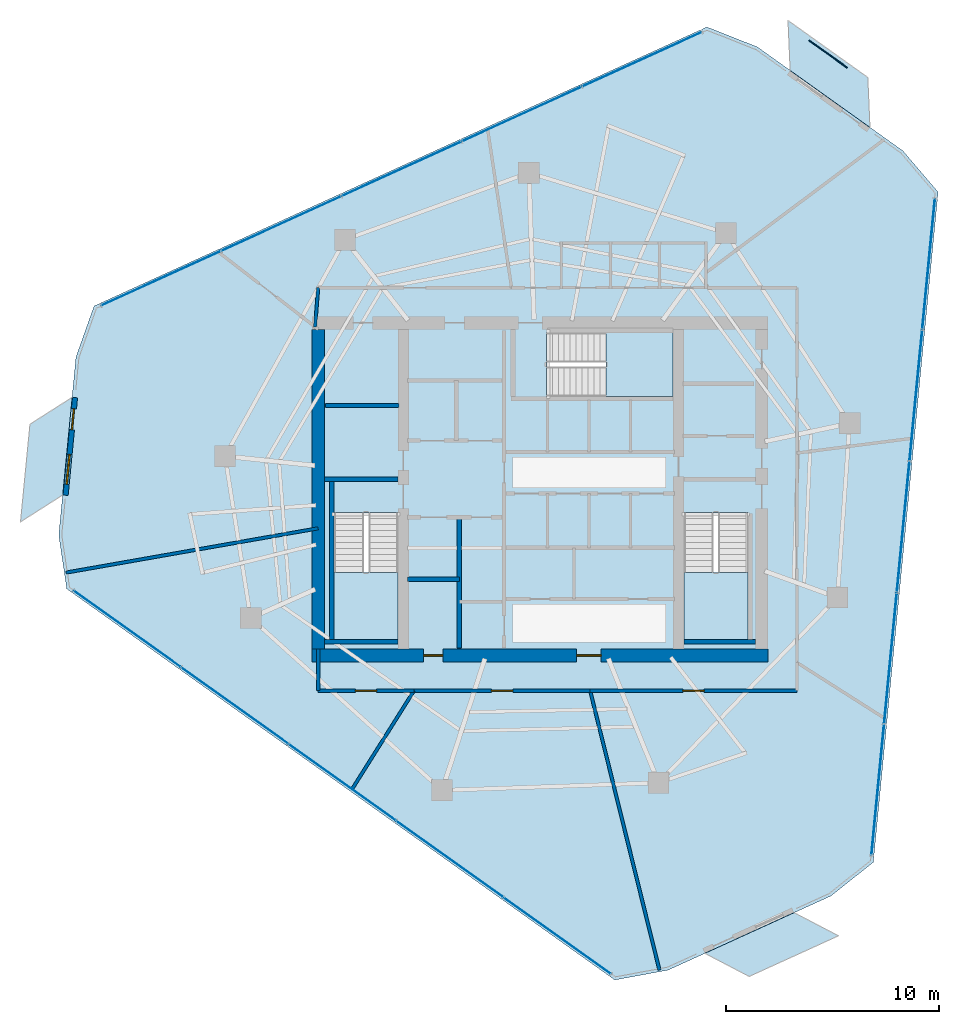
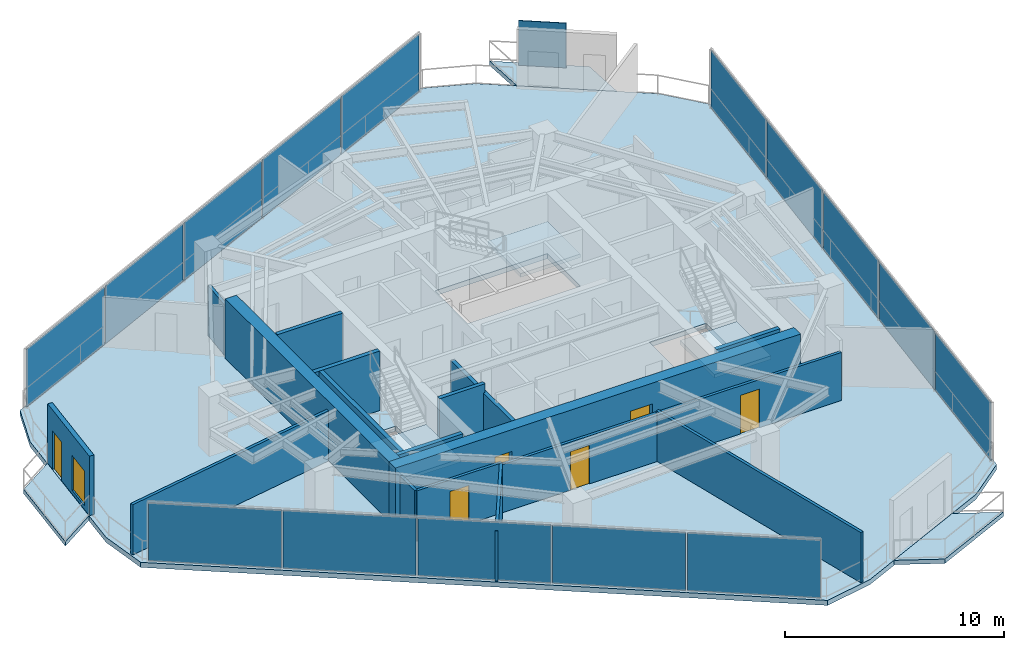
# One storey, part 16 of 21: 18 walls, 16 plates, 7 slabs, 6 doors, 1 window, 7 openings, 6 elements without a shape of their own.
"""IFC4 building model written with IfcOpenShell, lengths in metres."""

from ifc_helpers import new_model, si_unit, direction, frame, frame_2d, origin, origin_2d, place, context, subcontext, project, spatial, polyline, rectangle, outline, extrude, material, layer, layer_set, type_object, element, fill, aggregate, save


model = new_model("IFC4")

# Units and contexts
model_context = context("Model", 3, precision=1e-05, world=origin(), true_north=direction((0.0, 1.0)))
body_context = subcontext(model_context, "Body", "Model", "MODEL_VIEW")
ifc_project = project(units=[si_unit("LENGTHUNIT", "METRE"), si_unit("AREAUNIT", "SQUARE_METRE"), si_unit("VOLUMEUNIT", "CUBIC_METRE"), si_unit("PLANEANGLEUNIT", "RADIAN"), si_unit("MASSUNIT", "GRAM", prefix="KILO")], contexts=[model_context])

# Site, building, storey
site_placement = place(None, origin())
site = spatial("IfcSite", under=ifc_project, at=site_placement, CompositionType="ELEMENT")
building_placement = place(site_placement, origin())
building = spatial("IfcBuilding", under=site, at=building_placement, Name="Qarnah Convention Tower", CompositionType="ELEMENT")
storey_placement = place(building_placement, frame((0.0, 0.0, 158.10009765625)))
storey = spatial("IfcBuildingStorey", under=building, at=storey_placement, Name="L42", CompositionType="ELEMENT", Elevation=158.10009765625)

# Curtain wall, plates
ifc_material_1 = material(Name="Tempered Low-E dark glass", Category="glass")
ifc_layer_1 = layer(ifc_material_1, 0.172119140625)
ifc_layer_set_1 = layer_set([ifc_layer_1], Name="Tempered Low-E dark glass")
curtain_wall_type = type_object("IfcCurtainWallType", Name="CWS-03", PredefinedType="NOTDEFINED", material=ifc_layer_set_1)
curtain_wall_1_placement = place(storey_placement, origin())
curtain_wall_1 = element("IfcCurtainWall", 1, at=curtain_wall_1_placement, inside=storey, type_object=curtain_wall_type, Name="L42 unitised curtain wall CW-L42-F1", PredefinedType="NOTDEFINED")
ifc_layer_2 = layer(ifc_material_1, 0.031982421875)
ifc_layer_set_2 = layer_set([ifc_layer_2], Name="Tempered Low-E dark glass")
plate_type_1 = type_object("IfcPlateType", Name="PNL-T3", PredefinedType="CURTAIN_PANEL", material=ifc_layer_set_2)
plate_1_placement = place(storey_placement, frame((19.43310546875, 36.29150390625, 0.0400390625), z_axis=(0.0, 0.0, 1.0), x_axis=(0.910112016723, 0.414362301636, 0.0)))
plate_1 = element("IfcPlate", 2, at=plate_1_placement, type_object=plate_type_1, Name="CW-L42-F1 curtain panel 1.1", PredefinedType="CURTAIN_PANEL", context=body_context, shape_type="SweptSolid", body=[
    extrude(rectangle(XDim=6.114990234375, YDim=0.031982421875, at=origin_2d()), origin(), (0.0, 0.0, 1.0), 3.239990234375),
])
plate_2_placement = place(storey_placement, frame((25.0712890625, 38.8583984375, 0.0400390625), z_axis=(0.0, 0.0, 1.0), x_axis=(0.910112016723, 0.414362301636, 0.0)))
plate_2 = element("IfcPlate", 3, at=plate_2_placement, type_object=plate_type_1, Name="CW-L42-F1 curtain panel 2.1", PredefinedType="CURTAIN_PANEL", context=body_context, shape_type="SweptSolid", body=[
    extrude(rectangle(XDim=6.114990234375, YDim=0.031982421875, at=origin_2d()), origin(), (0.0, 0.0, 1.0), 3.239990234375),
])
plate_3_placement = place(storey_placement, frame((30.70947265625, 41.425537109375, 0.0400390625), z_axis=(0.0, 0.0, 1.0), x_axis=(0.910112016723, 0.414362301636, 0.0)))
plate_3 = element("IfcPlate", 4, at=plate_3_placement, type_object=plate_type_1, Name="CW-L42-F1 curtain panel 3.1", PredefinedType="CURTAIN_PANEL", context=body_context, shape_type="SweptSolid", body=[
    extrude(rectangle(XDim=6.114990234375, YDim=0.031982421875, at=origin_2d()), origin(), (0.0, 0.0, 1.0), 3.239990234375),
])
plate_4_placement = place(storey_placement, frame((36.34765625, 43.992431640625, 0.0400390625), z_axis=(0.0, 0.0, 1.0), x_axis=(0.910112016723, 0.414362301636, 0.0)))
plate_4 = element("IfcPlate", 5, at=plate_4_placement, type_object=plate_type_1, Name="CW-L42-F1 curtain panel 4.1", PredefinedType="CURTAIN_PANEL", context=body_context, shape_type="SweptSolid", body=[
    extrude(rectangle(XDim=6.114990234375, YDim=0.031982421875, at=origin_2d()), origin(), (0.0, 0.0, 1.0), 3.239990234375),
])
plate_5_placement = place(storey_placement, frame((41.98583984375, 46.5595703125, 0.0400390625), z_axis=(0.0, 0.0, 1.0), x_axis=(0.910112016723, 0.414362301636, 0.0)))
plate_5 = element("IfcPlate", 6, at=plate_5_placement, type_object=plate_type_1, Name="CW-L42-F1 curtain panel 5.1", PredefinedType="CURTAIN_PANEL", context=body_context, shape_type="SweptSolid", body=[
    extrude(rectangle(XDim=6.114990234375, YDim=0.031982421875, at=origin_2d()), origin(), (0.0, 0.0, 1.0), 3.239990234375),
])
aggregate(curtain_wall_1, [plate_1, plate_2, plate_3, plate_4, plate_5])

curtain_wall_2_placement = place(storey_placement, origin())
curtain_wall_2 = element("IfcCurtainWall", 7, at=curtain_wall_2_placement, inside=storey, type_object=curtain_wall_type, Name="L42 unitised curtain wall CW-L42-F2", PredefinedType="NOTDEFINED")
plate_6_placement = place(storey_placement, frame((38.012939453125, 5.45361328125, 0.0400390625), z_axis=(0.0, 0.0, 1.0), x_axis=(-0.81391448901, 0.580984685322, 0.0)))
plate_6 = element("IfcPlate", 8, at=plate_6_placement, type_object=plate_type_1, Name="CW-L42-F2 curtain panel 1.1", PredefinedType="CURTAIN_PANEL", context=body_context, shape_type="SweptSolid", body=[
    extrude(rectangle(XDim=6.114990234375, YDim=0.031982421875, at=origin_2d()), origin(), (0.0, 0.0, 1.0), 3.239990234375),
])
plate_7_placement = place(storey_placement, frame((32.970703125, 9.052734375, 0.0400390625), z_axis=(0.0, 0.0, 1.0), x_axis=(-0.81391448901, 0.580984685322, 0.0)))
plate_7 = element("IfcPlate", 9, at=plate_7_placement, type_object=plate_type_1, Name="CW-L42-F2 curtain panel 2.1", PredefinedType="CURTAIN_PANEL", context=body_context, shape_type="SweptSolid", body=[
    extrude(rectangle(XDim=6.114990234375, YDim=0.031982421875, at=origin_2d()), origin(), (0.0, 0.0, 1.0), 3.239990234375),
])
plate_8_placement = place(storey_placement, frame((27.928466796875, 12.652099609375, 0.0400390625), z_axis=(0.0, 0.0, 1.0), x_axis=(-0.81391448901, 0.580984685322, 0.0)))
plate_8 = element("IfcPlate", 10, at=plate_8_placement, type_object=plate_type_1, Name="CW-L42-F2 curtain panel 3.1", PredefinedType="CURTAIN_PANEL", context=body_context, shape_type="SweptSolid", body=[
    extrude(rectangle(XDim=6.114990234375, YDim=0.031982421875, at=origin_2d()), origin(), (0.0, 0.0, 1.0), 3.239990234375),
])
plate_9_placement = place(storey_placement, frame((22.88623046875, 16.251220703125, 0.0400390625), z_axis=(0.0, 0.0, 1.0), x_axis=(-0.81391448901, 0.580984685322, 0.0)))
plate_9 = element("IfcPlate", 11, at=plate_9_placement, type_object=plate_type_1, Name="CW-L42-F2 curtain panel 4.1", PredefinedType="CURTAIN_PANEL", context=body_context, shape_type="SweptSolid", body=[
    extrude(rectangle(XDim=6.114990234375, YDim=0.031982421875, at=origin_2d()), origin(), (0.0, 0.0, 1.0), 3.239990234375),
])
plate_10_placement = place(storey_placement, frame((17.843994140625, 19.850341796875, 0.0400390625), z_axis=(0.0, 0.0, 1.0), x_axis=(-0.81391448901, 0.580984685322, 0.0)))
plate_10 = element("IfcPlate", 12, at=plate_10_placement, type_object=plate_type_1, Name="CW-L42-F2 curtain panel 5.1", PredefinedType="CURTAIN_PANEL", context=body_context, shape_type="SweptSolid", body=[
    extrude(rectangle(XDim=6.114990234375, YDim=0.031982421875, at=origin_2d()), origin(), (0.0, 0.0, 1.0), 3.239990234375),
])
aggregate(curtain_wall_2, [plate_6, plate_7, plate_8, plate_9, plate_10])

curtain_wall_3_placement = place(storey_placement, origin())
curtain_wall_3 = element("IfcCurtainWall", 13, at=curtain_wall_3_placement, inside=storey, type_object=curtain_wall_type, Name="L42 unitised curtain wall CW-L42-F3", PredefinedType="NOTDEFINED")
plate_11_placement = place(storey_placement, frame((55.429931640625, 36.962890625, 0.0400390625), z_axis=(0.0, 0.0, 1.0), x_axis=(-0.096239589581, -0.995358197534, 0.0)))
plate_11 = element("IfcPlate", 14, at=plate_11_placement, type_object=plate_type_1, Name="CW-L42-F3 curtain panel 1.1", PredefinedType="CURTAIN_PANEL", context=body_context, shape_type="SweptSolid", body=[
    extrude(rectangle(XDim=6.114990234375, YDim=0.031982421875, at=origin_2d()), origin(), (0.0, 0.0, 1.0), 3.239990234375),
])
plate_12_placement = place(storey_placement, frame((54.833740234375, 30.796630859375, 0.0400390625), z_axis=(0.0, 0.0, 1.0), x_axis=(-0.096239589581, -0.995358197534, 0.0)))
plate_12 = element("IfcPlate", 15, at=plate_12_placement, type_object=plate_type_1, Name="CW-L42-F3 curtain panel 2.1", PredefinedType="CURTAIN_PANEL", context=body_context, shape_type="SweptSolid", body=[
    extrude(rectangle(XDim=6.114990234375, YDim=0.031982421875, at=origin_2d()), origin(), (0.0, 0.0, 1.0), 3.239990234375),
])
plate_13_placement = place(storey_placement, frame((54.237548828125, 24.630615234375, 0.0400390625), z_axis=(0.0, 0.0, 1.0), x_axis=(-0.096239589581, -0.995358197534, 0.0)))
plate_13 = element("IfcPlate", 16, at=plate_13_placement, type_object=plate_type_1, Name="CW-L42-F3 curtain panel 3.1", PredefinedType="CURTAIN_PANEL", context=body_context, shape_type="SweptSolid", body=[
    extrude(rectangle(XDim=6.114990234375, YDim=0.031982421875, at=origin_2d()), origin(), (0.0, 0.0, 1.0), 3.239990234375),
])
plate_14_placement = place(storey_placement, frame((53.641357421875, 18.46435546875, 0.0400390625), z_axis=(0.0, 0.0, 1.0), x_axis=(-0.096239589581, -0.995358197534, 0.0)))
plate_14 = element("IfcPlate", 17, at=plate_14_placement, type_object=plate_type_1, Name="CW-L42-F3 curtain panel 4.1", PredefinedType="CURTAIN_PANEL", context=body_context, shape_type="SweptSolid", body=[
    extrude(rectangle(XDim=6.114990234375, YDim=0.031982421875, at=origin_2d()), origin(), (0.0, 0.0, 1.0), 3.239990234375),
])
plate_15_placement = place(storey_placement, frame((53.045166015625, 12.298095703125, 0.0400390625), z_axis=(0.0, 0.0, 1.0), x_axis=(-0.096239589581, -0.995358197534, 0.0)))
plate_15 = element("IfcPlate", 18, at=plate_15_placement, type_object=plate_type_1, Name="CW-L42-F3 curtain panel 5.1", PredefinedType="CURTAIN_PANEL", context=body_context, shape_type="SweptSolid", body=[
    extrude(rectangle(XDim=6.114990234375, YDim=0.031982421875, at=origin_2d()), origin(), (0.0, 0.0, 1.0), 3.239990234375),
])
aggregate(curtain_wall_3, [plate_11, plate_12, plate_13, plate_14, plate_15])

# Plate
ifc_material_2 = material(Name="Black anodised aluminium", Category="aluminium")
ifc_layer_3 = layer(ifc_material_2, 0.044921875)
ifc_layer_set_3 = layer_set([ifc_layer_3], Name="Black anodised aluminium")
plate_type_2 = type_object("IfcPlateType", Name="SCR-BAL-18", PredefinedType="USERDEFINED", material=ifc_layer_set_3)
plate_16_placement = place(storey_placement, frame((50.715087890625, 46.80810546875, 0.0), z_axis=(0.0, 0.0, 1.0), x_axis=(0.813968532199, -0.580908967559, 0.0)))
element("IfcPlate", 19, at=plate_16_placement, inside=storey, type_object=plate_type_2, Name="L42 perforated desert solar screen BAL-L42-C1", ObjectType="SCREEN", PredefinedType="USERDEFINED", context=body_context, shape_type="SweptSolid", body=[
    extrude(rectangle(XDim=2.199951171875, YDim=0.044921875, at=origin_2d()), origin(), (0.0, 0.0, 1.0), 2.5),
])

# Slabs
ifc_material_3 = material(Name="Concrete C45/55", Category="concrete")
ifc_layer_4 = layer(ifc_material_3, 0.239990234375)
ifc_layer_set_4 = layer_set([ifc_layer_4], Name="Concrete C45/55")
slab_type_1 = type_object("IfcSlabType", Name="SLB-BAL-240", PredefinedType="USERDEFINED", material=ifc_layer_set_4)
slab_1_placement = place(storey_placement, frame((0.0, 0.0, -0.239990234375)))
element("IfcSlab", 20, at=slab_1_placement, inside=storey, type_object=slab_type_1, Name="L42 cantilevered balcony slab BAL-L42-C1", ObjectType="BALCONY", PredefinedType="USERDEFINED", context=body_context, shape_type="SweptSolid", body=[
    extrude(outline(polyline([(48.8330078125, 48.384033203125), (52.576904296875, 45.7119140625), (52.678955078125, 43.366943359375), (48.93505859375, 46.0400390625), (48.8330078125, 48.384033203125)])), origin(), (0.0, 0.0, 1.0), 0.239990234375),
])
slab_2_placement = place(storey_placement, frame((0.0, 0.0, -0.239990234375)))
element("IfcSlab", 21, at=slab_2_placement, inside=storey, type_object=slab_type_1, Name="L42 cantilevered balcony slab BAL-L42-C2", ObjectType="BALCONY", PredefinedType="USERDEFINED", context=body_context, shape_type="SweptSolid", body=[
    extrude(outline(polyline([(12.840087890625, 24.867919921875), (13.282958984375, 29.447021484375), (15.261962890625, 30.70703125), (14.819091796875, 26.1279296875), (12.840087890625, 24.867919921875)])), origin(), (0.0, 0.0, 1.0), 0.239990234375),
])
slab_3_placement = place(storey_placement, frame((0.0, 0.0, -0.239990234375)))
element("IfcSlab", 22, at=slab_3_placement, inside=storey, type_object=slab_type_1, Name="L42 cantilevered balcony slab BAL-L42-C3", ObjectType="BALCONY", PredefinedType="USERDEFINED", context=body_context, shape_type="SweptSolid", body=[
    extrude(outline(polyline([(51.201904296875, 5.455078125), (47.014892578125, 3.549072265625), (44.93408203125, 4.633056640625), (49.12109375, 6.5400390625), (51.201904296875, 5.455078125)])), origin(), (0.0, 0.0, 1.0), 0.239990234375),
])

# Stair, slab
ifc_material_4 = material(Name="Concrete C50/60", Category="concrete")
stair_type = type_object("IfcStairType", Name="STR-OFF", PredefinedType="HALF_TURN_STAIR", material=ifc_material_4)
stair_1_placement = place(storey_placement, origin())
stair_1 = element("IfcStair", 23, at=stair_1_placement, inside=storey, type_object=stair_type, Name="L42 Core exit stair ST-1", PredefinedType="HALF_TURN_STAIR")
ifc_layer_5 = layer(ifc_material_4, 0.199951171875)
ifc_layer_set_5 = layer_set([ifc_layer_5], Name="Concrete C50/60")
slab_type_2 = type_object("IfcSlabType", Name="SLB-LANDING-200", PredefinedType="LANDING", material=ifc_layer_set_5)
slab_4_placement = place(storey_placement, frame((0.0, 0.0, 1.599853515625)))
slab_4 = element("IfcSlab", 24, at=slab_4_placement, type_object=slab_type_2, Name="ST-1 landing 1", PredefinedType="LANDING", context=body_context, shape_type="SweptSolid", body=[
    extrude(outline(polyline([(27.550048828125, 22.5), (27.550048828125, 19.35009765625), (30.550048828125, 19.35009765625), (30.550048828125, 22.5), (27.550048828125, 22.5)])), origin(), (0.0, 0.0, 1.0), 0.199951171875),
])
aggregate(stair_1, [slab_4])

stair_2_placement = place(storey_placement, origin())
stair_2 = element("IfcStair", 25, at=stair_2_placement, inside=storey, type_object=stair_type, Name="L42 Core exit stair ST-2", PredefinedType="HALF_TURN_STAIR")
slab_5_placement = place(storey_placement, frame((0.0, 0.0, 1.599853515625)))
slab_5 = element("IfcSlab", 26, at=slab_5_placement, type_object=slab_type_2, Name="ST-2 landing 1", PredefinedType="LANDING", context=body_context, shape_type="SweptSolid", body=[
    extrude(outline(polyline([(43.949951171875, 22.5), (43.949951171875, 19.35009765625), (46.949951171875, 19.35009765625), (46.949951171875, 22.5), (43.949951171875, 22.5)])), origin(), (0.0, 0.0, 1.0), 0.199951171875),
])
aggregate(stair_2, [slab_5])

stair_3_placement = place(storey_placement, origin())
stair_3 = element("IfcStair", 27, at=stair_3_placement, inside=storey, type_object=stair_type, Name="L42 Core exit stair ST-3", PredefinedType="HALF_TURN_STAIR")
slab_6_placement = place(storey_placement, frame((0.0, 0.0, 1.599853515625)))
slab_6 = element("IfcSlab", 28, at=slab_6_placement, type_object=slab_type_2, Name="ST-3 landing 1", PredefinedType="LANDING", context=body_context, shape_type="SweptSolid", body=[
    extrude(outline(polyline([(40.300048828125, 30.75), (43.449951171875, 30.75), (43.449951171875, 33.75), (40.300048828125, 33.75), (40.300048828125, 30.75)])), origin(), (0.0, 0.0, 1.0), 0.199951171875),
])
aggregate(stair_3, [slab_6])

# Slab
ifc_layer_6 = layer(ifc_material_3, 0.280029296875)
ifc_layer_set_6 = layer_set([ifc_layer_6], Name="Concrete C45/55")
slab_type_3 = type_object("IfcSlabType", Name="SLB-TWR-280", PredefinedType="FLOOR", material=ifc_layer_set_6)
slab_7_placement = place(storey_placement, frame((0.0, 0.0, -0.280029296875)))
element("IfcSlab", 29, at=slab_7_placement, inside=storey, type_object=slab_type_3, Name="L42 structural floor slab", PredefinedType="FLOOR", context=body_context, shape_type="SweptSolid", body=[
    extrude(outline(polyline([(45.028076171875, 48.076904296875), (16.291015625, 34.992919921875), (15.43994140625, 32.593017578125), (14.633056640625, 24.2451171875), (15.009033203125, 21.72705078125), (40.7080078125, 3.382080078125), (43.2119140625, 3.844970703125), (50.844970703125, 7.320068359375), (52.837890625, 8.905029296875), (55.8759765625, 40.3330078125), (54.222900390625, 42.27001953125), (47.39599609375, 47.14306640625), (45.028076171875, 48.076904296875)]), holes=[polyline([(27.550048828125, 25.300048828125), (27.550048828125, 19.35009765625), (30.550048828125, 19.35009765625), (30.550048828125, 25.300048828125), (27.550048828125, 25.300048828125)]), polyline([(43.949951171875, 25.300048828125), (43.949951171875, 19.35009765625), (46.949951171875, 19.35009765625), (46.949951171875, 25.300048828125), (43.949951171875, 25.300048828125)]), polyline([(37.5, 30.75), (43.449951171875, 30.75), (43.449951171875, 33.75), (37.5, 33.75), (37.5, 30.75)])]), origin(), (0.0, 0.0, 1.0), 0.280029296875),
])

# Wall, openings, doors
ifc_material_5 = material(Name="Concrete C60/75", Category="concrete")
ifc_layer_7 = layer(ifc_material_5, 0.60009765625)
ifc_layer_set_7 = layer_set([ifc_layer_7], Name="Concrete C60/75")
wall_type_1 = type_object("IfcWallType", Name="WL-CORE-600", PredefinedType="SHEAR", material=ifc_layer_set_7)
wall_1_placement = place(storey_placement, frame((26.5, 18.60009765625, 0.0), z_axis=(0.0, 0.0, 1.0), x_axis=(1.0, 0.0, 0.0)))
wall_1 = element("IfcWall", 30, at=wall_1_placement, inside=storey, type_object=wall_type_1, Name="L42 core south shear wall", PredefinedType="SHEAR", context=body_context, shape_type="SweptSolid", body=[
    extrude(rectangle(XDim=21.39990234375, YDim=0.60009765625, at=frame_2d((10.699951171875, 0.0))), origin(), (0.0, 0.0, 1.0), 3.31982421875),
])
opening_1_placement = place(wall_1_placement, frame((12.425048828125, 0.0, 0.0)))
opening_1 = element("IfcOpeningElement", 31, at=opening_1_placement, cuts=wall_1, Name="Opening D-4207", PredefinedType="OPENING", context=body_context, shape_type="SweptSolid", body=[
    extrude(rectangle(XDim=1.14990234375, YDim=2.14990234375, at=frame_2d((0.574951171875, 1.074951171875))), frame((0.0, 0.31005859375, 0.0), z_axis=(0.0, -1.0, 0.0), x_axis=(1.0, 0.0, 0.0)), (0.0, 0.0, 1.0), 0.6201171875),
])
opening_2_placement = place(wall_1_placement, frame((5.25, 0.0, 0.0)))
opening_2 = element("IfcOpeningElement", 32, at=opening_2_placement, cuts=wall_1, Name="Opening D-4213", PredefinedType="OPENING", context=body_context, shape_type="SweptSolid", body=[
    extrude(rectangle(XDim=0.89990234375, YDim=2.10009765625, at=frame_2d((0.449951171875, 1.050048828125))), frame((0.0, 0.31005859375, 0.0), z_axis=(0.0, -1.0, 0.0), x_axis=(1.0, 0.0, 0.0)), (0.0, 0.0, 1.0), 0.6201171875),
])
ifc_material_6 = material(Name="Structural steel S355JR", Category="steel")
door_type_1 = type_object("IfcDoorType", Name="DT-LOBBY-1150", OperationType="NOTDEFINED", PredefinedType="DOOR", material=ifc_material_6)
door_1_placement = place(opening_1_placement, origin())
door_1 = element("IfcDoor", 33, at=door_1_placement, inside=storey, type_object=door_type_1, Name="Door D-4207", OperationType="SINGLE_SWING_RIGHT", OverallHeight=2.14990234375, OverallWidth=1.14990234375, PredefinedType="DOOR", context=body_context, shape_type="SweptSolid", body=[
    extrude(rectangle(XDim=1.14990234375, YDim=2.14990234375, at=frame_2d((0.574951171875, 1.074951171875))), frame((0.0, 0.02490234375, 0.0), z_axis=(0.0, -1.0, 0.0), x_axis=(1.0, 0.0, 0.0)), (0.0, 0.0, 1.0), 0.050048828125),
])
fill(opening_1, door_1)
door_type_2 = type_object("IfcDoorType", Name="DT-RISER-900", OperationType="NOTDEFINED", PredefinedType="DOOR", material=ifc_material_6)
door_2_placement = place(opening_2_placement, origin())
door_2 = element("IfcDoor", 34, at=door_2_placement, inside=storey, type_object=door_type_2, Name="Door D-4213", OperationType="SINGLE_SWING_RIGHT", OverallHeight=2.10009765625, OverallWidth=0.89990234375, PredefinedType="DOOR", context=body_context, shape_type="SweptSolid", body=[
    extrude(rectangle(XDim=0.89990234375, YDim=2.10009765625, at=frame_2d((0.449951171875, 1.050048828125))), frame((0.0, 0.02490234375, 0.0), z_axis=(0.0, -1.0, 0.0), x_axis=(1.0, 0.0, 0.0)), (0.0, 0.0, 1.0), 0.050048828125),
])
fill(opening_2, door_2)

# Walls
wall_2_placement = place(storey_placement, frame((26.800048828125, 18.89990234375, 0.0), z_axis=(0.0, 0.0, 1.0), x_axis=(0.0, 1.0, 0.0)))
element("IfcWall", 35, at=wall_2_placement, inside=storey, type_object=wall_type_1, Name="L42 core west shear wall", PredefinedType="SHEAR", context=body_context, shape_type="SweptSolid", body=[
    extrude(rectangle(XDim=15.0, YDim=0.60009765625, at=frame_2d((7.5, 0.0))), origin(), (0.0, 0.0, 1.0), 3.31982421875),
])
ifc_layer_8 = layer(ifc_material_3, 0.199951171875)
ifc_layer_set_8 = layer_set([ifc_layer_8], Name="Concrete C45/55")
wall_type_2 = type_object("IfcWallType", Name="WL-CORE-PART-200", PredefinedType="SOLIDWALL", material=ifc_layer_set_8)
wall_3_placement = place(storey_placement, frame((27.14990234375, 30.320068359375, 0.0), z_axis=(0.0, 0.0, 1.0), x_axis=(1.0, 0.0, 0.0)))
element("IfcWall", 36, at=wall_3_placement, inside=storey, type_object=wall_type_2, Name="L42 interior wall IW-L42-ELRN", PredefinedType="SOLIDWALL", context=body_context, shape_type="SweptSolid", body=[
    extrude(rectangle(XDim=3.4501953125, YDim=0.199951171875, at=frame_2d((1.72509765625, 0.0))), origin(), (0.0, 0.0, 1.0), 3.31982421875),
])
wall_4_placement = place(storey_placement, frame((33.419921875, 18.949951171875, 0.0), z_axis=(0.0, 0.0, 1.0), x_axis=(0.0, 1.0, 0.0)))
element("IfcWall", 37, at=wall_4_placement, inside=storey, type_object=wall_type_2, Name="L42 interior wall IW-L42-SVLE", PredefinedType="SOLIDWALL", context=body_context, shape_type="SweptSolid", body=[
    extrude(rectangle(XDim=6.130126953125, YDim=0.199951171875, at=frame_2d((3.06494140625, 0.0))), origin(), (0.0, 0.0, 1.0), 2.8408203125),
])
wall_5_placement = place(storey_placement, frame((31.0, 22.179931640625, 0.0), z_axis=(0.0, 0.0, 1.0), x_axis=(1.0, 0.0, 0.0)))
element("IfcWall", 38, at=wall_5_placement, inside=storey, type_object=wall_type_2, Name="L42 interior wall IW-L42-SVLS", PredefinedType="SOLIDWALL", context=body_context, shape_type="SweptSolid", body=[
    extrude(rectangle(XDim=2.419921875, YDim=0.199951171875, at=frame_2d((1.2099609375, 0.0))), origin(), (0.0, 0.0, 1.0), 3.31982421875),
])
ifc_layer_9 = layer(ifc_material_5, 0.219970703125)
ifc_layer_set_9 = layer_set([ifc_layer_9], Name="Concrete C60/75")
wall_type_3 = type_object("IfcWallType", Name="WL-CORE-STAIR-220", PredefinedType="SHEAR", material=ifc_layer_set_9)
wall_6_placement = place(storey_placement, frame((27.10009765625, 26.860107421875, 0.0), z_axis=(0.0, 0.0, 1.0), x_axis=(1.0, 0.0, 0.0)))
element("IfcWall", 39, at=wall_6_placement, inside=storey, type_object=wall_type_3, Name="L42 stair shaft shear wall SW-L42-ST1N", PredefinedType="SHEAR", context=body_context, shape_type="SweptSolid", body=[
    extrude(rectangle(XDim=3.449951171875, YDim=0.219970703125, at=frame_2d((1.72509765625, 0.0))), origin(), (0.0, 0.0, 1.0), 3.31982421875),
])
wall_7_placement = place(storey_placement, frame((27.43994140625, 19.35009765625, 0.0), z_axis=(0.0, 0.0, 1.0), x_axis=(0.0, 1.0, 0.0)))
element("IfcWall", 40, at=wall_7_placement, inside=storey, type_object=wall_type_3, Name="L42 stair shaft shear wall SW-L42-ST1W", PredefinedType="SHEAR", context=body_context, shape_type="SweptSolid", body=[
    extrude(rectangle(XDim=7.39990234375, YDim=0.219970703125, at=frame_2d((3.699951171875, 0.0))), origin(), (0.0, 0.0, 1.0), 3.31982421875),
])
wall_8_placement = place(storey_placement, frame((27.10009765625, 19.239990234375, 0.0), z_axis=(0.0, 0.0, 1.0), x_axis=(1.0, 0.0, 0.0)))
element("IfcWall", 41, at=wall_8_placement, inside=storey, type_object=wall_type_3, Name="L42 stair shaft shear wall SW-L42-ST1S", PredefinedType="SHEAR", context=body_context, shape_type="SweptSolid", body=[
    extrude(rectangle(XDim=3.449951171875, YDim=0.219970703125, at=frame_2d((1.72509765625, 0.0))), origin(), (0.0, 0.0, 1.0), 3.31982421875),
])
wall_9_placement = place(storey_placement, frame((43.949951171875, 19.239990234375, 0.0), z_axis=(0.0, 0.0, 1.0), x_axis=(1.0, 0.0, 0.0)))
element("IfcWall", 42, at=wall_9_placement, inside=storey, type_object=wall_type_3, Name="L42 stair shaft shear wall SW-L42-ST2S", PredefinedType="SHEAR", context=body_context, shape_type="SweptSolid", body=[
    extrude(rectangle(XDim=3.35009765625, YDim=0.219970703125, at=frame_2d((1.675048828125, 0.0))), origin(), (0.0, 0.0, 1.0), 3.31982421875),
])

# Wall, openings, door, window
ifc_material_7 = material(Name="Precast concrete C45/55", Category="concrete")
ifc_layer_10 = layer(ifc_material_7, 0.239990234375)
ifc_layer_set_10 = layer_set([ifc_layer_10], Name="Precast concrete C45/55")
wall_type_4 = type_object("IfcWallType", Name="WL-EXT-BAL-240", PredefinedType="SOLIDWALL", material=ifc_layer_set_10)
wall_10_placement = place(storey_placement, frame((14.955078125, 26.115966796875, 0.0), z_axis=(0.0, 0.0, 1.0), x_axis=(0.096056216574, 0.995375910527, 0.0)))
wall_10 = element("IfcWall", 43, at=wall_10_placement, inside=storey, type_object=wall_type_4, Name="L42 loggia threshold wall BAL-L42-C2", PredefinedType="SOLIDWALL", context=body_context, shape_type="SweptSolid", body=[
    extrude(rectangle(XDim=4.600341796875, YDim=0.239990234375, at=frame_2d((2.30029296875, 0.0))), origin(), (0.0, 0.0, 1.0), 3.31982421875),
])
opening_3_placement = place(wall_10_placement, frame((3.080078125, 0.0, 0.0)))
opening_3 = element("IfcOpeningElement", 44, at=opening_3_placement, cuts=wall_10, Name="Opening BD-4202", PredefinedType="OPENING", context=body_context, shape_type="SweptSolid", body=[
    extrude(rectangle(XDim=1.0, YDim=2.14990234375, at=frame_2d((0.5, 1.074951171875))), frame((0.0, 0.1298828125, 0.0), z_axis=(0.0, -1.0, 0.0), x_axis=(1.0, 0.0, 0.0)), (0.0, 0.0, 1.0), 0.260009765625),
])
opening_4_placement = place(wall_10_placement, frame((0.52001953125, 0.0, 0.199951171875)))
opening_4 = element("IfcOpeningElement", 45, at=opening_4_placement, cuts=wall_10, Name="Opening WN4", PredefinedType="OPENING", context=body_context, shape_type="SweptSolid", body=[
    extrude(rectangle(XDim=1.39990234375, YDim=1.949951171875, at=frame_2d((0.699951171875, 0.97509765625))), frame((0.0, 0.1298828125, 0.0), z_axis=(0.0, -1.0, 0.0), x_axis=(1.0, 0.0, 0.0)), (0.0, 0.0, 1.0), 0.260009765625),
])
door_type_3 = type_object("IfcDoorType", Name="DT-BAL-1000", OperationType="NOTDEFINED", PredefinedType="DOOR", material=ifc_material_2)
door_3_placement = place(opening_3_placement, origin())
door_3 = element("IfcDoor", 46, at=door_3_placement, inside=storey, type_object=door_type_3, Name="L42 balcony terrace door BAL-L42-C2", OperationType="SINGLE_SWING_RIGHT", OverallHeight=2.14990234375, OverallWidth=1.0, PredefinedType="DOOR", context=body_context, shape_type="SweptSolid", body=[
    extrude(rectangle(XDim=1.0, YDim=2.14990234375, at=frame_2d((0.5, 1.074951171875))), frame((0.0, 0.02490234375, 0.0), z_axis=(0.0, -1.0, 0.0), x_axis=(1.0, 0.0, 0.0)), (0.0, 0.0, 1.0), 0.050048828125),
])
fill(opening_3, door_3)
window_type = type_object("IfcWindowType", Name="WT-BAL-1400X2000", PartitioningType="SINGLE_PANEL", PredefinedType="WINDOW", material=ifc_material_1)
window_placement = place(opening_4_placement, origin())
window = element("IfcWindow", 47, at=window_placement, inside=storey, type_object=window_type, Name="Window BW-BAL-L42-C2", OverallHeight=1.949951171875, OverallWidth=1.39990234375, PartitioningType="SINGLE_PANEL", PredefinedType="WINDOW", context=body_context, shape_type="SweptSolid", body=[
    extrude(rectangle(XDim=1.39990234375, YDim=1.949951171875, at=frame_2d((0.699951171875, 0.97509765625))), frame((0.0, 0.030029296875, 0.0), z_axis=(0.0, -1.0, 0.0), x_axis=(1.0, 0.0, 0.0)), (0.0, 0.0, 1.0), 0.06005859375),
])
fill(opening_4, window)

# Walls
ifc_material_8 = material(Name="Gypsum partition board")
ifc_layer_11 = layer(ifc_material_8, 0.14990234375)
ifc_layer_set_11 = layer_set([ifc_layer_11], Name="Gypsum partition board")
wall_type_5 = type_object("IfcWallType", Name="WL-SUITE-150", PredefinedType="PARTITIONING", material=ifc_layer_set_11)
wall_11_placement = place(storey_placement, frame((26.655029296875, 34.011962890625, 0.0), z_axis=(0.0, 0.0, 1.0), x_axis=(0.078650542613, 0.99690224804, 0.0)))
element("IfcWall", 48, at=wall_11_placement, inside=storey, type_object=wall_type_5, Name="L42 interior wall IW-L42-R-20", PredefinedType="PARTITIONING", context=body_context, shape_type="SweptSolid", body=[
    extrude(rectangle(XDim=1.84375, YDim=0.14990234375, at=frame_2d((0.921875, 0.0))), origin(), (0.0, 0.0, 1.0), 2.804931640625),
])
wall_12_placement = place(storey_placement, frame((14.97607421875, 22.489013671875, 0.0), z_axis=(0.0, 0.0, 1.0), x_axis=(0.984921236902, 0.173003344187, 0.0)))
element("IfcWall", 49, at=wall_12_placement, inside=storey, type_object=wall_type_5, Name="L42 interior wall IW-L42-R-22", PredefinedType="PARTITIONING", context=body_context, shape_type="SweptSolid", body=[
    extrude(rectangle(XDim=12.0048828125, YDim=0.14990234375, at=frame_2d((6.00244140625, 0.0))), origin(), (0.0, 0.0, 1.0), 2.804931640625),
])
wall_13_placement = place(storey_placement, frame((28.364013671875, 12.2919921875, 0.0), z_axis=(0.0, 0.0, 1.0), x_axis=(0.532568514342, 0.846386895888, 0.0)))
element("IfcWall", 50, at=wall_13_placement, inside=storey, type_object=wall_type_5, Name="L42 interior wall IW-L42-R-23", PredefinedType="PARTITIONING", context=body_context, shape_type="SweptSolid", body=[
    extrude(rectangle(XDim=5.50341796875, YDim=0.14990234375, at=frame_2d((2.751708984375, 0.0))), origin(), (0.0, 0.0, 1.0), 2.804931640625),
])

# Wall, opening, door
wall_14_placement = place(storey_placement, frame((31.294921875, 16.949951171875, 0.0), z_axis=(0.0, 0.0, 1.0), x_axis=(-1.0, 0.0, 0.0)))
wall_14 = element("IfcWall", 51, at=wall_14_placement, inside=storey, type_object=wall_type_5, Name="L42 interior wall IW-L42-R-24", PredefinedType="PARTITIONING", context=body_context, shape_type="SweptSolid", body=[
    extrude(rectangle(XDim=4.494873046875, YDim=0.14990234375, at=frame_2d((2.24755859375, 0.0))), origin(), (0.0, 0.0, 1.0), 2.804931640625),
])
opening_5_placement = place(wall_14_placement, frame((1.748046875, 0.0, 0.0)))
opening_5 = element("IfcOpeningElement", 52, at=opening_5_placement, cuts=wall_14, Name="Opening D-4225", PredefinedType="OPENING", context=body_context, shape_type="SweptSolid", body=[
    extrude(rectangle(XDim=1.0, YDim=2.14990234375, at=frame_2d((0.5, 1.074951171875))), frame((0.0, 0.0849609375, 0.0), z_axis=(0.0, -1.0, 0.0), x_axis=(1.0, 0.0, 0.0)), (0.0, 0.0, 1.0), 0.169921875),
])
ifc_material_9 = material(Name="Oak timber veneer", Category="wood")
door_type_4 = type_object("IfcDoorType", Name="DT-OFFICE-1000", OperationType="NOTDEFINED", PredefinedType="DOOR", material=ifc_material_9)
door_4_placement = place(opening_5_placement, origin())
door_4 = element("IfcDoor", 53, at=door_4_placement, inside=storey, type_object=door_type_4, Name="Door D-4225", OperationType="SINGLE_SWING_RIGHT", OverallHeight=2.14990234375, OverallWidth=1.0, PredefinedType="DOOR", context=body_context, shape_type="SweptSolid", body=[
    extrude(rectangle(XDim=1.0, YDim=2.14990234375, at=frame_2d((0.5, 1.074951171875))), frame((0.0, 0.02490234375, 0.0), z_axis=(0.0, -1.0, 0.0), x_axis=(1.0, 0.0, 0.0)), (0.0, 0.0, 1.0), 0.050048828125),
])
fill(opening_5, door_4)

# Walls
wall_15_placement = place(storey_placement, frame((26.800048828125, 16.949951171875, 0.0), z_axis=(0.0, 0.0, 1.0), x_axis=(0.0, 1.0, 0.0)))
element("IfcWall", 54, at=wall_15_placement, inside=storey, type_object=wall_type_5, Name="L42 interior wall IW-L42-R-25", PredefinedType="PARTITIONING", context=body_context, shape_type="SweptSolid", body=[
    extrude(rectangle(XDim=1.949951171875, YDim=0.14990234375, at=frame_2d((0.97509765625, 0.0))), origin(), (0.0, 0.0, 1.0), 2.804931640625),
])
wall_16_placement = place(storey_placement, frame((42.804931640625, 3.85107421875, 0.0), z_axis=(0.0, 0.0, 1.0), x_axis=(-0.240743225954, 0.970588841455, 0.0)))
element("IfcWall", 55, at=wall_16_placement, inside=storey, type_object=wall_type_5, Name="L42 interior wall IW-L42-R-26", PredefinedType="PARTITIONING", context=body_context, shape_type="SweptSolid", body=[
    extrude(rectangle(XDim=13.495849609375, YDim=0.14990234375, at=frame_2d((6.748046875, 0.0))), origin(), (0.0, 0.0, 1.0), 2.804931640625),
])

# Wall, opening, door
wall_17_placement = place(storey_placement, frame((39.555908203125, 16.949951171875, 0.0), z_axis=(0.0, 0.0, 1.0), x_axis=(-1.0, 0.0, 0.0)))
wall_17 = element("IfcWall", 56, at=wall_17_placement, inside=storey, type_object=wall_type_5, Name="L42 interior wall IW-L42-R-27", PredefinedType="PARTITIONING", context=body_context, shape_type="SweptSolid", body=[
    extrude(rectangle(XDim=8.260986328125, YDim=0.14990234375, at=frame_2d((4.13037109375, 0.0))), origin(), (0.0, 0.0, 1.0), 2.68701171875),
])
opening_6_placement = place(wall_17_placement, frame((3.6298828125, 0.0, 0.0)))
opening_6 = element("IfcOpeningElement", 57, at=opening_6_placement, cuts=wall_17, Name="Opening D-4226", PredefinedType="OPENING", context=body_context, shape_type="SweptSolid", body=[
    extrude(rectangle(XDim=1.0, YDim=2.14990234375, at=frame_2d((0.5, 1.074951171875))), frame((0.0, 0.0849609375, 0.0), z_axis=(0.0, -1.0, 0.0), x_axis=(1.0, 0.0, 0.0)), (0.0, 0.0, 1.0), 0.169921875),
])
door_5_placement = place(opening_6_placement, origin())
door_5 = element("IfcDoor", 58, at=door_5_placement, inside=storey, type_object=door_type_4, Name="Door D-4226", OperationType="SINGLE_SWING_LEFT", OverallHeight=2.14990234375, OverallWidth=1.0, PredefinedType="DOOR", context=body_context, shape_type="SweptSolid", body=[
    extrude(rectangle(XDim=1.0, YDim=2.14990234375, at=frame_2d((0.5, 1.074951171875))), frame((0.0, 0.02490234375, 0.0), z_axis=(0.0, -1.0, 0.0), x_axis=(1.0, 0.0, 0.0)), (0.0, 0.0, 1.0), 0.050048828125),
])
fill(opening_6, door_5)

wall_18_placement = place(storey_placement, frame((49.25, 16.949951171875, 0.0), z_axis=(0.0, 0.0, 1.0), x_axis=(-1.0, 0.0, 0.0)))
wall_18 = element("IfcWall", 59, at=wall_18_placement, inside=storey, type_object=wall_type_5, Name="L42 interior wall IW-L42-R-30", PredefinedType="PARTITIONING", context=body_context, shape_type="SweptSolid", body=[
    extrude(rectangle(XDim=9.694091796875, YDim=0.14990234375, at=frame_2d((4.84716796875, 0.0))), origin(), (0.0, 0.0, 1.0), 2.68701171875),
])
opening_7_placement = place(wall_18_placement, frame((4.346923828125, 0.0, 0.0)))
opening_7 = element("IfcOpeningElement", 60, at=opening_7_placement, cuts=wall_18, Name="Opening D-4227", PredefinedType="OPENING", context=body_context, shape_type="SweptSolid", body=[
    extrude(rectangle(XDim=1.0, YDim=2.14990234375, at=frame_2d((0.5, 1.074951171875))), frame((0.0, 0.0849609375, 0.0), z_axis=(0.0, -1.0, 0.0), x_axis=(1.0, 0.0, 0.0)), (0.0, 0.0, 1.0), 0.169921875),
])
door_6_placement = place(opening_7_placement, origin())
door_6 = element("IfcDoor", 61, at=door_6_placement, inside=storey, type_object=door_type_4, Name="Door D-4227", OperationType="SINGLE_SWING_RIGHT", OverallHeight=2.14990234375, OverallWidth=1.0, PredefinedType="DOOR", context=body_context, shape_type="SweptSolid", body=[
    extrude(rectangle(XDim=1.0, YDim=2.14990234375, at=frame_2d((0.5, 1.074951171875))), frame((0.0, 0.02490234375, 0.0), z_axis=(0.0, -1.0, 0.0), x_axis=(1.0, 0.0, 0.0)), (0.0, 0.0, 1.0), 0.050048828125),
])
fill(opening_7, door_6)

save(model, "model.ifc")
